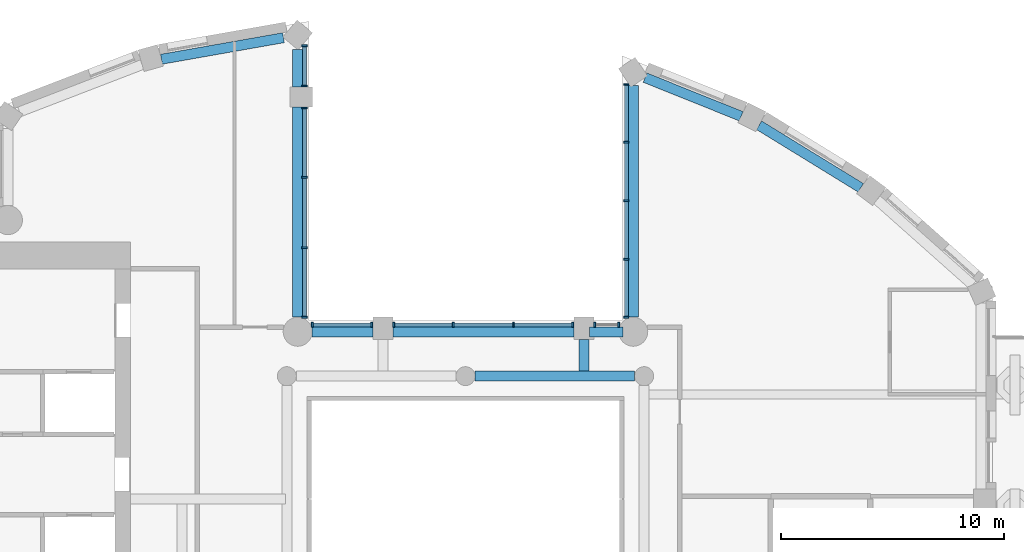
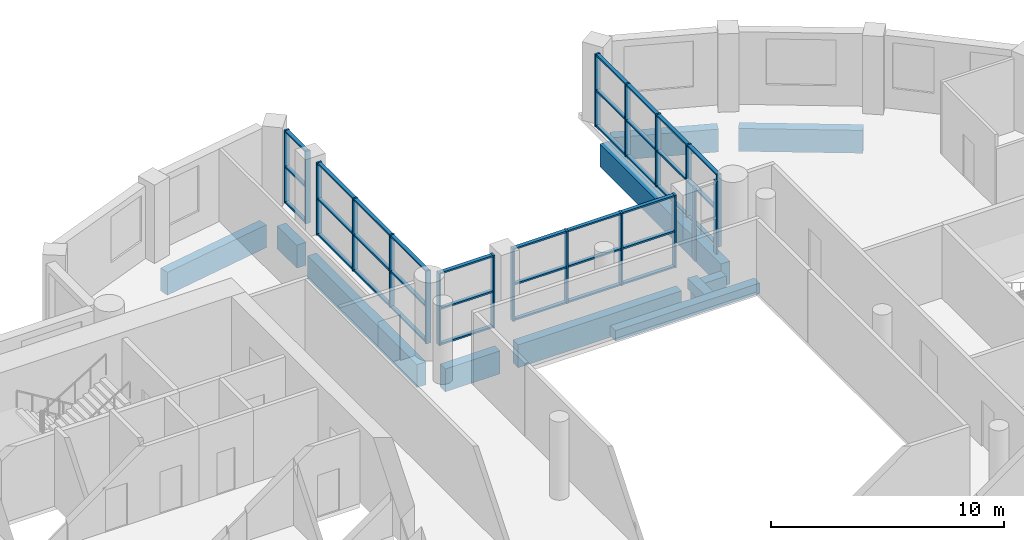
# One storey, part 2 of 14: 55 members, 11 beams, 6 elements without a shape of their own.
"""IFC4 building model written with IfcOpenShell, lengths in metres."""

import ifcopenshell
import ifcopenshell.guid

model = None  # the IFC model being written
_history = None  # IfcOwnerHistory: only IFC2X3 demands one
_inside = {}  # id of a spatial element -> (the spatial element, [elements in it])
_under = {}  # id of a project, library or spatial element -> (it, [spatial elements below it])
_declared = {}  # id of a project -> (the project, [libraries it declares])
_typed = {}  # id of a type object -> (the type object, [elements of that type])
_made_of = {}  # id of a material, layer set ... -> (it, [elements and type objects made of it])


def new_model(schema):
    """Start an empty IFC model of exactly this schema.

    Asked for "IFC4X3", IfcOpenShell would pick the latest addendum, in which some entities
    have other attributes; the version numbers below select the first issue.
    IFC2X3 requires an IfcOwnerHistory on every rooted entity: one is made here for all.
    """
    global model, _history
    if schema == "IFC4X3":
        model = ifcopenshell.file(schema_version=(4, 3, 0, 0))
    else:
        model = ifcopenshell.file(schema=schema)
    _inside.clear()
    _under.clear()
    _declared.clear()
    _typed.clear()
    _made_of.clear()
    _history = None
    if model.schema == "IFC2X3":
        org = make("IfcOrganization", Name="unknown")
        user = make(
            "IfcPersonAndOrganization",
            ThePerson=make("IfcPerson", FamilyName="unknown"),
            TheOrganization=org,
        )
        app = make(
            "IfcApplication",
            ApplicationDeveloper=org,
            Version="unknown",
            ApplicationFullName="unknown",
            ApplicationIdentifier="unknown",
        )
        _history = make(
            "IfcOwnerHistory",
            OwningUser=user,
            OwningApplication=app,
            ChangeAction="ADDED",
            CreationDate=0,
        )
    return model


def make(cls, **values):
    """One entity of the class cls with the attributes given. An attribute that is None is left unset."""
    return model.create_entity(
        cls, **{name: value for name, value in values.items() if value is not None}
    )


def rooted(cls, **values):
    """An entity with a GlobalId (a new one), such as an element, a storey or a relation."""
    return make(cls, GlobalId=ifcopenshell.guid.new(), OwnerHistory=_history, **values)


def si_unit(unit_type, name, prefix=None):
    """IfcSIUnit, for example si_unit("LENGTHUNIT", "METRE", prefix="MILLI")."""
    return make("IfcSIUnit", UnitType=unit_type, Prefix=prefix, Name=name)


def assignment(units):
    """IfcUnitAssignment: the units of a project."""
    return None if units is None else make("IfcUnitAssignment", Units=units)


def point(xyz):
    """IfcCartesianPoint."""
    return None if xyz is None else make("IfcCartesianPoint", Coordinates=xyz)


def direction(xyz):
    """IfcDirection."""
    return None if xyz is None else make("IfcDirection", DirectionRatios=xyz)


def frame(location, z_axis=None, x_axis=None):
    """IfcAxis2Placement3D, a coordinate frame: its origin and axes. An axis left out is left unset."""
    return make(
        "IfcAxis2Placement3D",
        Location=point(location),
        Axis=direction(z_axis),
        RefDirection=direction(x_axis),
    )


def frame_2d(location, x_axis=None):
    """IfcAxis2Placement2D, a coordinate frame in the plane: its origin and x axis."""
    return make(
        "IfcAxis2Placement2D", Location=point(location), RefDirection=direction(x_axis)
    )


def origin():
    """The frame at (0, 0, 0) with its axes left unset."""
    return frame((0.0, 0.0, 0.0))


def origin_2d():
    """The frame at (0, 0) in the plane with its x axis left unset."""
    return frame_2d((0.0, 0.0))


def place(relative_to, where):
    """IfcLocalPlacement: puts the frame where relative to a parent placement (None: the world)."""
    return make(
        "IfcLocalPlacement", PlacementRelTo=relative_to, RelativePlacement=where
    )


def context(
    kind, dimensions, precision=None, world=None, true_north=None, identifier=None
):
    """IfcGeometricRepresentationContext, for example the 3D "Model" context."""
    return make(
        "IfcGeometricRepresentationContext",
        ContextIdentifier=identifier,
        ContextType=kind,
        CoordinateSpaceDimension=dimensions,
        Precision=precision,
        WorldCoordinateSystem=world,
        TrueNorth=true_north,
    )


def subcontext(parent, identifier, kind, view, scale=None):
    """IfcGeometricRepresentationSubContext, for example "Body" below "Model"."""
    return make(
        "IfcGeometricRepresentationSubContext",
        ContextIdentifier=identifier,
        ContextType=kind,
        ParentContext=parent,
        TargetScale=scale,
        TargetView=view,
    )


def project(units=None, contexts=None):
    """IfcProject with its units and contexts."""
    return rooted(
        "IfcProject",
        Name="project",
        RepresentationContexts=contexts,
        UnitsInContext=assignment(units),
    )


def spatial(cls, under=None, at=None, **own):
    """A site, building, storey or space (cls), placed at a placement, below another one or the project."""
    s = rooted(cls, ObjectPlacement=at, **own)
    if under is not None:
        _under.setdefault(under.id(), (under, []))[1].append(s)
    return s


def profile(cls, at=None, kind="AREA", **sizes):
    """A parametric profile (cls). Its sizes go by their IFC names, for example OverallWidth=200.0."""
    return make(cls, ProfileType=kind, Position=at, **sizes)


def rectangle(**sizes):
    """IfcRectangleProfileDef."""
    return profile("IfcRectangleProfileDef", **sizes)


def extrude(swept, where, along, depth):
    """IfcExtrudedAreaSolid: the profile swept, set in the frame where, extruded along a direction by depth."""
    return make(
        "IfcExtrudedAreaSolid",
        SweptArea=swept,
        Position=where,
        ExtrudedDirection=direction(along),
        Depth=depth,
    )


def shape(context_of_items, identifier, shape_type, items):
    """IfcShapeRepresentation: the items that make up one representation, for example the "Body"."""
    return make(
        "IfcShapeRepresentation",
        ContextOfItems=context_of_items,
        RepresentationIdentifier=identifier,
        RepresentationType=shape_type,
        Items=items,
    )


def material(Name=None, Category=None):
    """IfcMaterial."""
    return make("IfcMaterial", Name=Name, Category=Category)


def material_profile(
    of_material, cross_section, Name=None, Category=None, Priority=None
):
    """IfcMaterialProfile: a cross section and its material."""
    return make(
        "IfcMaterialProfile",
        Name=Name,
        Material=of_material,
        Profile=cross_section,
        Priority=Priority,
        Category=Category,
    )


def profile_set(profiles, Name=None, composite=None):
    """IfcMaterialProfileSet."""
    return make(
        "IfcMaterialProfileSet",
        Name=Name,
        MaterialProfiles=profiles,
        CompositeProfile=composite,
    )


def made_of(thing, what):
    """Note that an element or type object is made of a material, layer set ...; save() writes the relation."""
    if what is not None:
        _made_of.setdefault(what.id(), (what, []))[1].append(thing)
    return thing


def type_object(cls, material=None, **own):
    """A type object (cls), such as IfcWallType, which elements share."""
    return made_of(rooted(cls, **own), material)


def element(
    cls,
    number,
    at=None,
    inside=None,
    cuts=None,
    type_object=None,
    material=None,
    context=None,
    identifier="Body",
    shape_type=None,
    held_by="IfcProductDefinitionShape",
    body=None,
    shapes=None,
    **own,
):
    """One element of the class cls, such as IfcWall. Its Tag is "e" and its number.

    at: its placement. inside: the storey or other place that contains it. cuts: it is an
    opening in that element (IfcRelVoidsElement). A single representation is given by context,
    identifier, shape_type and body (its items); several are given by shapes. held_by: the class
    of the entity that holds the representations. save() writes the other relations.
    """
    e = rooted(cls, Tag="e%d" % number, ObjectPlacement=at, **own)
    if body is not None:
        shapes = [shape(context, identifier, shape_type, body)]
    if shapes is not None:
        e.Representation = make(held_by, Representations=shapes)
    if inside is not None:
        _inside.setdefault(inside.id(), (inside, []))[1].append(e)
    if cuts is not None:
        rooted(
            "IfcRelVoidsElement", RelatingBuildingElement=cuts, RelatedOpeningElement=e
        )
    if type_object is not None:
        _typed.setdefault(type_object.id(), (type_object, []))[1].append(e)
    return made_of(e, material)


def aggregate(whole, parts):
    """IfcRelAggregates: a whole, such as a stair, and the parts it consists of."""
    return rooted("IfcRelAggregates", RelatingObject=whole, RelatedObjects=parts)


def save(model, path):
    """Write the relations noted so far, then the file.

    IfcRelAggregates (storeys below a building ...), IfcRelContainedInSpatialStructure (elements
    in a storey), IfcRelDefinesByType, IfcRelAssociatesMaterial and IfcRelDeclares: one each for
    every whole, place, type object, material and project.
    """
    for whole, parts in _under.values():
        aggregate(whole, parts)
    for where, things in _inside.values():
        rooted(
            "IfcRelContainedInSpatialStructure",
            RelatedElements=things,
            RelatingStructure=where,
        )
    for kind, things in _typed.values():
        rooted("IfcRelDefinesByType", RelatedObjects=things, RelatingType=kind)
    for what, things in _made_of.values():
        rooted("IfcRelAssociatesMaterial", RelatedObjects=things, RelatingMaterial=what)
    for by, libraries in _declared.values():
        rooted("IfcRelDeclares", RelatingContext=by, RelatedDefinitions=libraries)
    model.write(path)


model = new_model("IFC4")

# Units and contexts
model_context = context("Model", 3, precision=1e-05, world=origin(), true_north=direction((0.0, 1.0)))
body_context = subcontext(model_context, "Body", "Model", "MODEL_VIEW")
ifc_project = project(units=[si_unit("LENGTHUNIT", "METRE"), si_unit("AREAUNIT", "SQUARE_METRE"), si_unit("VOLUMEUNIT", "CUBIC_METRE"), si_unit("PLANEANGLEUNIT", "RADIAN"), si_unit("MASSUNIT", "GRAM", prefix="KILO")], contexts=[model_context])

# Site, building, storey
site_placement = place(None, origin())
site = spatial("IfcSite", under=ifc_project, at=site_placement, CompositionType="ELEMENT")
building_placement = place(site_placement, origin())
building = spatial("IfcBuilding", under=site, at=building_placement, Name="Cypress Arch Tower", CompositionType="ELEMENT")
storey_placement = place(building_placement, frame((0.0, 0.0, 300.800048828125)))
storey = spatial("IfcBuildingStorey", under=building, at=storey_placement, Name="L68", CompositionType="ELEMENT", Elevation=300.800048828125)

# Beams
ifc_material_1 = material(Name="Concrete C50/60", Category="concrete")
ifc_material_profile_1 = material_profile(ifc_material_1, rectangle(XDim=0.449951171875, YDim=0.550048828125, at=origin_2d()), Name="RC 450x550")
ifc_profile_set_1 = profile_set([ifc_material_profile_1], Name="Concrete C50/60")
beam_type_1 = type_object("IfcBeamType", Name="Floor beam RC 450x550 Concrete C50/60", PredefinedType="BEAM", material=ifc_profile_set_1)
beam_1_placement = place(storey_placement, frame((1.425048828125, 10.0, -0.574951171875), z_axis=(1.0, 0.0, 0.0), x_axis=(0.0, 1.0, 0.0)))
element("IfcBeam", 1, at=beam_1_placement, inside=storey, type_object=beam_type_1, Name="Floor beam L68 RB008", PredefinedType="BEAM", context=body_context, shape_type="SweptSolid", body=[
    extrude(rectangle(XDim=0.449951171875, YDim=0.550048828125, at=origin_2d()), origin(), (0.0, 0.0, 1.0), 7.14990234375),
])
beam_2_placement = place(storey_placement, frame((6.300048828125, 10.22509765625, -0.574951171875), z_axis=(0.0, 1.0, 0.0), x_axis=(-1.0, 0.0, 0.0)))
element("IfcBeam", 2, at=beam_2_placement, inside=storey, type_object=beam_type_1, Name="Floor beam L68 FB013", PredefinedType="BEAM", context=body_context, shape_type="SweptSolid", body=[
    extrude(rectangle(XDim=0.449951171875, YDim=0.550048828125, at=origin_2d()), origin(), (0.0, 0.0, 1.0), 1.4248046875),
])

# Curtain wall, members
ifc_material_2 = material(Name="Anodised aluminium, bronze finish, clear laminated double glazing", Category="aluminium")
curtain_wall_type = type_object("IfcCurtainWallType", Name="Curtain wall CW7 slot glazing", PredefinedType="NOTDEFINED", material=ifc_material_2)
curtain_wall_1_placement = place(storey_placement, origin())
curtain_wall_1 = element("IfcCurtainWall", 3, at=curtain_wall_1_placement, inside=storey, type_object=curtain_wall_type, Name="Curtain wall L68 slot C00.0", PredefinedType="NOTDEFINED")
ifc_material_3 = material(Name="Anodised aluminium, bronze finish", Category="aluminium")
ifc_material_profile_2 = material_profile(ifc_material_3, rectangle(XDim=0.239990234375, YDim=0.0849609375, at=origin_2d()), Name="Mullion 85x240")
ifc_profile_set_2 = profile_set([ifc_material_profile_2], Name="Anodised aluminium, bronze finish")
member_type_1 = type_object("IfcMemberType", Name="Mullion CW7 85x240", PredefinedType="MULLION", material=ifc_profile_set_2)
member_1_placement = place(storey_placement, frame((8.199951171875, 23.060302734375, 0.0), z_axis=(0.0, 0.0, 1.0), x_axis=(1.0, 0.0, 0.0)))
member_1 = element("IfcMember", 4, at=member_1_placement, type_object=member_type_1, Name="CW7 mullion 1", PredefinedType="MULLION", context=body_context, shape_type="SweptSolid", body=[
    extrude(rectangle(XDim=0.239990234375, YDim=0.0849609375, at=origin_2d()), origin(), (0.0, 0.0, 1.0), 3.800048828125),
])
member_2_placement = place(storey_placement, frame((8.199951171875, 20.477294921875, 0.0), z_axis=(0.0, 0.0, 1.0), x_axis=(1.0, 0.0, 0.0)))
member_2 = element("IfcMember", 5, at=member_2_placement, type_object=member_type_1, Name="CW7 mullion 2", PredefinedType="MULLION", context=body_context, shape_type="SweptSolid", body=[
    extrude(rectangle(XDim=0.239990234375, YDim=0.0849609375, at=origin_2d()), origin(), (0.0, 0.0, 1.0), 3.800048828125),
])
member_3_placement = place(storey_placement, frame((8.199951171875, 17.85205078125, 0.0), z_axis=(0.0, 0.0, 1.0), x_axis=(1.0, 0.0, 0.0)))
member_3 = element("IfcMember", 6, at=member_3_placement, type_object=member_type_1, Name="CW7 mullion 3", PredefinedType="MULLION", context=body_context, shape_type="SweptSolid", body=[
    extrude(rectangle(XDim=0.239990234375, YDim=0.0849609375, at=origin_2d()), origin(), (0.0, 0.0, 1.0), 3.800048828125),
])
member_4_placement = place(storey_placement, frame((8.199951171875, 15.226806640625, 0.0), z_axis=(0.0, 0.0, 1.0), x_axis=(1.0, 0.0, 0.0)))
member_4 = element("IfcMember", 7, at=member_4_placement, type_object=member_type_1, Name="CW7 mullion 4", PredefinedType="MULLION", context=body_context, shape_type="SweptSolid", body=[
    extrude(rectangle(XDim=0.239990234375, YDim=0.0849609375, at=origin_2d()), origin(), (0.0, 0.0, 1.0), 3.800048828125),
])
member_5_placement = place(storey_placement, frame((8.199951171875, 12.64404296875, 0.0), z_axis=(0.0, 0.0, 1.0), x_axis=(1.0, 0.0, 0.0)))
member_5 = element("IfcMember", 8, at=member_5_placement, type_object=member_type_1, Name="CW7 mullion 5", PredefinedType="MULLION", context=body_context, shape_type="SweptSolid", body=[
    extrude(rectangle(XDim=0.239990234375, YDim=0.0849609375, at=origin_2d()), origin(), (0.0, 0.0, 1.0), 3.800048828125),
])

curtain_wall_2_placement = place(storey_placement, origin())
curtain_wall_2 = element("IfcCurtainWall", 9, at=curtain_wall_2_placement, inside=storey, type_object=curtain_wall_type, Name="Curtain wall L68 slot C01.0", PredefinedType="NOTDEFINED")
member_6_placement = place(storey_placement, frame((7.85595703125, 12.300048828125, 0.0), z_axis=(0.0, 0.0, 1.0), x_axis=(0.0, -1.0, 0.0)))
member_6 = element("IfcMember", 10, at=member_6_placement, type_object=member_type_1, Name="CW7 mullion 1", PredefinedType="MULLION", context=body_context, shape_type="SweptSolid", body=[
    extrude(rectangle(XDim=0.239990234375, YDim=0.0849609375, at=origin_2d()), origin(), (0.0, 0.0, 1.0), 3.800048828125),
])
member_7_placement = place(storey_placement, frame((6.79248046875, 12.300048828125, 0.0), z_axis=(0.0, 0.0, 1.0), x_axis=(0.0, -1.0, 0.0)))
member_7 = element("IfcMember", 11, at=member_7_placement, type_object=member_type_1, Name="CW7 mullion 2", PredefinedType="MULLION", context=body_context, shape_type="SweptSolid", body=[
    extrude(rectangle(XDim=0.239990234375, YDim=0.0849609375, at=origin_2d()), origin(), (0.0, 0.0, 1.0), 3.800048828125),
])
aggregate(curtain_wall_2, [member_6, member_7])

curtain_wall_3_placement = place(storey_placement, origin())
curtain_wall_3 = element("IfcCurtainWall", 12, at=curtain_wall_3_placement, inside=storey, type_object=curtain_wall_type, Name="Curtain wall L68 slot C01.1", PredefinedType="NOTDEFINED")
member_8_placement = place(storey_placement, frame((5.8076171875, 12.300048828125, 0.0), z_axis=(0.0, 0.0, 1.0), x_axis=(0.0, -1.0, 0.0)))
member_8 = element("IfcMember", 13, at=member_8_placement, type_object=member_type_1, Name="CW7 mullion 1", PredefinedType="MULLION", context=body_context, shape_type="SweptSolid", body=[
    extrude(rectangle(XDim=0.239990234375, YDim=0.0849609375, at=origin_2d()), origin(), (0.0, 0.0, 1.0), 3.800048828125),
])
member_9_placement = place(storey_placement, frame((3.14990234375, 12.300048828125, 0.0), z_axis=(0.0, 0.0, 1.0), x_axis=(0.0, -1.0, 0.0)))
member_9 = element("IfcMember", 14, at=member_9_placement, type_object=member_type_1, Name="CW7 mullion 2", PredefinedType="MULLION", context=body_context, shape_type="SweptSolid", body=[
    extrude(rectangle(XDim=0.239990234375, YDim=0.0849609375, at=origin_2d()), origin(), (0.0, 0.0, 1.0), 3.800048828125),
])
member_10_placement = place(storey_placement, frame((0.449951171875, 12.300048828125, 0.0), z_axis=(0.0, 0.0, 1.0), x_axis=(0.0, -1.0, 0.0)))
member_10 = element("IfcMember", 15, at=member_10_placement, type_object=member_type_1, Name="CW7 mullion 3", PredefinedType="MULLION", context=body_context, shape_type="SweptSolid", body=[
    extrude(rectangle(XDim=0.239990234375, YDim=0.0849609375, at=origin_2d()), origin(), (0.0, 0.0, 1.0), 3.800048828125),
])
member_11_placement = place(storey_placement, frame((-2.20751953125, 12.300048828125, 0.0), z_axis=(0.0, 0.0, 1.0), x_axis=(0.0, -1.0, 0.0)))
member_11 = element("IfcMember", 16, at=member_11_placement, type_object=member_type_1, Name="CW7 mullion 4", PredefinedType="MULLION", context=body_context, shape_type="SweptSolid", body=[
    extrude(rectangle(XDim=0.239990234375, YDim=0.0849609375, at=origin_2d()), origin(), (0.0, 0.0, 1.0), 3.800048828125),
])

curtain_wall_4_placement = place(storey_placement, origin())
curtain_wall_4 = element("IfcCurtainWall", 17, at=curtain_wall_4_placement, inside=storey, type_object=curtain_wall_type, Name="Curtain wall L68 slot C01.2", PredefinedType="NOTDEFINED")
member_12_placement = place(storey_placement, frame((-3.1923828125, 12.300048828125, 0.0), z_axis=(0.0, 0.0, 1.0), x_axis=(0.0, -1.0, 0.0)))
member_12 = element("IfcMember", 18, at=member_12_placement, type_object=member_type_1, Name="CW7 mullion 1", PredefinedType="MULLION", context=body_context, shape_type="SweptSolid", body=[
    extrude(rectangle(XDim=0.239990234375, YDim=0.0849609375, at=origin_2d()), origin(), (0.0, 0.0, 1.0), 3.800048828125),
])
member_13_placement = place(storey_placement, frame((-5.85595703125, 12.300048828125, 0.0), z_axis=(0.0, 0.0, 1.0), x_axis=(0.0, -1.0, 0.0)))
member_13 = element("IfcMember", 19, at=member_13_placement, type_object=member_type_1, Name="CW7 mullion 2", PredefinedType="MULLION", context=body_context, shape_type="SweptSolid", body=[
    extrude(rectangle(XDim=0.239990234375, YDim=0.0849609375, at=origin_2d()), origin(), (0.0, 0.0, 1.0), 3.800048828125),
])

curtain_wall_5_placement = place(storey_placement, origin())
curtain_wall_5 = element("IfcCurtainWall", 20, at=curtain_wall_5_placement, inside=storey, type_object=curtain_wall_type, Name="Curtain wall L68 slot C02.0", PredefinedType="NOTDEFINED")
member_14_placement = place(storey_placement, frame((-6.199951171875, 12.64404296875, 0.0), z_axis=(0.0, 0.0, 1.0), x_axis=(-1.0, 0.0, 0.0)))
member_14 = element("IfcMember", 21, at=member_14_placement, type_object=member_type_1, Name="CW7 mullion 1", PredefinedType="MULLION", context=body_context, shape_type="SweptSolid", body=[
    extrude(rectangle(XDim=0.239990234375, YDim=0.0849609375, at=origin_2d()), origin(), (0.0, 0.0, 1.0), 3.800048828125),
])
member_15_placement = place(storey_placement, frame((-6.199951171875, 15.7509765625, 0.0), z_axis=(0.0, 0.0, 1.0), x_axis=(-1.0, 0.0, 0.0)))
member_15 = element("IfcMember", 22, at=member_15_placement, type_object=member_type_1, Name="CW7 mullion 2", PredefinedType="MULLION", context=body_context, shape_type="SweptSolid", body=[
    extrude(rectangle(XDim=0.239990234375, YDim=0.0849609375, at=origin_2d()), origin(), (0.0, 0.0, 1.0), 3.800048828125),
])
member_16_placement = place(storey_placement, frame((-6.199951171875, 18.900390625, 0.0), z_axis=(0.0, 0.0, 1.0), x_axis=(-1.0, 0.0, 0.0)))
member_16 = element("IfcMember", 23, at=member_16_placement, type_object=member_type_1, Name="CW7 mullion 3", PredefinedType="MULLION", context=body_context, shape_type="SweptSolid", body=[
    extrude(rectangle(XDim=0.239990234375, YDim=0.0849609375, at=origin_2d()), origin(), (0.0, 0.0, 1.0), 3.800048828125),
])
member_17_placement = place(storey_placement, frame((-6.199951171875, 22.007568359375, 0.0), z_axis=(0.0, 0.0, 1.0), x_axis=(-1.0, 0.0, 0.0)))
member_17 = element("IfcMember", 24, at=member_17_placement, type_object=member_type_1, Name="CW7 mullion 4", PredefinedType="MULLION", context=body_context, shape_type="SweptSolid", body=[
    extrude(rectangle(XDim=0.239990234375, YDim=0.0849609375, at=origin_2d()), origin(), (0.0, 0.0, 1.0), 3.800048828125),
])

curtain_wall_6_placement = place(storey_placement, origin())
curtain_wall_6 = element("IfcCurtainWall", 25, at=curtain_wall_6_placement, inside=storey, type_object=curtain_wall_type, Name="Curtain wall L68 slot C02.1", PredefinedType="NOTDEFINED")
member_18_placement = place(storey_placement, frame((-6.199951171875, 22.992431640625, 0.0), z_axis=(0.0, 0.0, 1.0), x_axis=(-1.0, 0.0, 0.0)))
member_18 = element("IfcMember", 26, at=member_18_placement, type_object=member_type_1, Name="CW7 mullion 1", PredefinedType="MULLION", context=body_context, shape_type="SweptSolid", body=[
    extrude(rectangle(XDim=0.239990234375, YDim=0.0849609375, at=origin_2d()), origin(), (0.0, 0.0, 1.0), 3.800048828125),
])
member_19_placement = place(storey_placement, frame((-6.199951171875, 24.789794921875, 0.0), z_axis=(0.0, 0.0, 1.0), x_axis=(-1.0, 0.0, 0.0)))
member_19 = element("IfcMember", 27, at=member_19_placement, type_object=member_type_1, Name="CW7 mullion 2", PredefinedType="MULLION", context=body_context, shape_type="SweptSolid", body=[
    extrude(rectangle(XDim=0.239990234375, YDim=0.0849609375, at=origin_2d()), origin(), (0.0, 0.0, 1.0), 3.800048828125),
])

# Beams
ifc_material_4 = material(Name="Concrete C50/60", Category="concrete")
ifc_material_profile_3 = material_profile(ifc_material_4, rectangle(XDim=0.449951171875, YDim=1.199951171875, at=origin_2d()), Name="RC 450x1200")
ifc_profile_set_3 = profile_set([ifc_material_profile_3], Name="Concrete C50/60")
beam_type_2 = type_object("IfcBeamType", Name="Spandrel beam RC 450x1200 Concrete C50/60", PredefinedType="SPANDREL", material=ifc_profile_set_3)
beam_3_placement = place(storey_placement, frame((8.52490234375, 23.017578125, -1.550048828125), z_axis=(0.0, -1.0, 0.0), x_axis=(1.0, 0.0, 0.0)))
element("IfcBeam", 28, at=beam_3_placement, inside=storey, type_object=beam_type_2, Name="Spandrel beam L68 BC00-0", PredefinedType="SPANDREL", context=body_context, shape_type="SweptSolid", body=[
    extrude(rectangle(XDim=0.449951171875, YDim=1.199951171875, at=origin_2d()), origin(), (0.0, 0.0, 1.0), 10.380126953125),
])
beam_4_placement = place(storey_placement, frame((8.05615234375, 11.97509765625, -1.550048828125), z_axis=(-1.0, 0.0, 0.0), x_axis=(0.0, -1.0, 0.0)))
element("IfcBeam", 29, at=beam_4_placement, inside=storey, type_object=beam_type_2, Name="Spandrel beam L68 BC01-0", PredefinedType="SPANDREL", context=body_context, shape_type="SweptSolid", body=[
    extrude(rectangle(XDim=0.449951171875, YDim=1.199951171875, at=origin_2d()), origin(), (0.0, 0.0, 1.0), 1.5),
])
beam_5_placement = place(storey_placement, frame((5.85009765625, 11.97509765625, -1.550048828125), z_axis=(-1.0, 0.0, 0.0), x_axis=(0.0, -1.0, 0.0)))
element("IfcBeam", 30, at=beam_5_placement, inside=storey, type_object=beam_type_2, Name="Spandrel beam L68 BC01-1", PredefinedType="SPANDREL", context=body_context, shape_type="SweptSolid", body=[
    extrude(rectangle(XDim=0.449951171875, YDim=1.199951171875, at=origin_2d()), origin(), (0.0, 0.0, 1.0), 8.10009765625),
])
beam_6_placement = place(storey_placement, frame((-3.14990234375, 11.97509765625, -1.550048828125), z_axis=(-1.0, 0.0, 0.0), x_axis=(0.0, -1.0, 0.0)))
element("IfcBeam", 31, at=beam_6_placement, inside=storey, type_object=beam_type_2, Name="Spandrel beam L68 BC01-2", PredefinedType="SPANDREL", context=body_context, shape_type="SweptSolid", body=[
    extrude(rectangle(XDim=0.449951171875, YDim=1.199951171875, at=origin_2d()), origin(), (0.0, 0.0, 1.0), 2.712646484375),
])
beam_7_placement = place(storey_placement, frame((-6.52490234375, 12.637451171875, -1.550048828125), z_axis=(0.0, 1.0, 0.0), x_axis=(-1.0, 0.0, 0.0)))
element("IfcBeam", 32, at=beam_7_placement, inside=storey, type_object=beam_type_2, Name="Spandrel beam L68 BC02-0", PredefinedType="SPANDREL", context=body_context, shape_type="SweptSolid", body=[
    extrude(rectangle(XDim=0.449951171875, YDim=1.199951171875, at=origin_2d()), origin(), (0.0, 0.0, 1.0), 9.41259765625),
])
beam_8_placement = place(storey_placement, frame((-6.52490234375, 22.949951171875, -1.550048828125), z_axis=(0.0, 1.0, 0.0), x_axis=(-1.0, 0.0, 0.0)))
element("IfcBeam", 33, at=beam_8_placement, inside=storey, type_object=beam_type_2, Name="Spandrel beam L68 BC02-1", PredefinedType="SPANDREL", context=body_context, shape_type="SweptSolid", body=[
    extrude(rectangle(XDim=0.449951171875, YDim=1.199951171875, at=origin_2d()), origin(), (0.0, 0.0, 1.0), 1.6796875),
])
beam_9_placement = place(storey_placement, frame((-7.14990234375, 25.154052734375, -1.550048828125), z_axis=(-0.984800388539, -0.173689938494, 0.0), x_axis=(0.173689938494, -0.984800388539, 0.0)))
element("IfcBeam", 34, at=beam_9_placement, inside=storey, type_object=beam_type_2, Name="Spandrel beam L68 BC03-0", PredefinedType="SPANDREL", context=body_context, shape_type="SweptSolid", body=[
    extrude(rectangle(XDim=0.449951171875, YDim=1.199951171875, at=origin_2d()), origin(), (0.0, 0.0, 1.0), 5.5478515625),
])
beam_10_placement = place(storey_placement, frame((18.700927734375, 18.43359375, -1.550048828125), z_axis=(-0.851880940975, 0.523735488966, 0.0), x_axis=(-0.523735488966, -0.851880940975, 0.0)))
element("IfcBeam", 35, at=beam_10_placement, inside=storey, type_object=beam_type_2, Name="Spandrel beam L68 BC19-0", PredefinedType="SPANDREL", context=body_context, shape_type="SweptSolid", body=[
    extrude(rectangle(XDim=0.449951171875, YDim=1.199951171875, at=origin_2d()), origin(), (0.0, 0.0, 1.0), 5.344970703125),
])
beam_11_placement = place(storey_placement, frame((13.343994140625, 21.6376953125, -1.550048828125), z_axis=(-0.92793836678, 0.372733668263, 0.0), x_axis=(-0.372733668263, -0.92793836678, 0.0)))
element("IfcBeam", 36, at=beam_11_placement, inside=storey, type_object=beam_type_2, Name="Spandrel beam L68 BC20-0", PredefinedType="SPANDREL", context=body_context, shape_type="SweptSolid", body=[
    extrude(rectangle(XDim=0.449951171875, YDim=1.199951171875, at=origin_2d()), origin(), (0.0, 0.0, 1.0), 4.637451171875),
])

# Member
ifc_material_5 = material(Name="Anodised aluminium, bronze finish", Category="aluminium")
ifc_material_profile_4 = material_profile(ifc_material_5, rectangle(XDim=0.179931640625, YDim=0.0849609375, at=origin_2d()), Name="Transom 85x180")
ifc_profile_set_4 = profile_set([ifc_material_profile_4], Name="Anodised aluminium, bronze finish")
member_type_2 = type_object("IfcMemberType", Name="Transom CW7 85x180", PredefinedType="USERDEFINED", material=ifc_profile_set_4)
member_20_placement = place(storey_placement, frame((8.199951171875, 23.017578125, 0.04248046875), z_axis=(0.0, -1.0, 0.0), x_axis=(1.0, 0.0, 0.0)))
member_20 = element("IfcMember", 37, at=member_20_placement, type_object=member_type_2, Name="CW7 transom 1.1", ObjectType="TRANSOM", PredefinedType="USERDEFINED", context=body_context, shape_type="SweptSolid", body=[
    extrude(rectangle(XDim=0.179931640625, YDim=0.0849609375, at=origin_2d()), origin(), (0.0, 0.0, 1.0), 2.497802734375),
])

member_21_placement = place(storey_placement, frame((8.199951171875, 23.017578125, 1.89990234375), z_axis=(0.0, -1.0, 0.0), x_axis=(1.0, 0.0, 0.0)))
member_21 = element("IfcMember", 38, at=member_21_placement, type_object=member_type_2, Name="CW7 transom 1.2", ObjectType="TRANSOM", PredefinedType="USERDEFINED", context=body_context, shape_type="SweptSolid", body=[
    extrude(rectangle(XDim=0.179931640625, YDim=0.0849609375, at=origin_2d()), origin(), (0.0, 0.0, 1.0), 2.497802734375),
])

member_22_placement = place(storey_placement, frame((8.199951171875, 23.017578125, 3.757568359375), z_axis=(0.0, -1.0, 0.0), x_axis=(1.0, 0.0, 0.0)))
member_22 = element("IfcMember", 39, at=member_22_placement, type_object=member_type_2, Name="CW7 transom 1.3", ObjectType="TRANSOM", PredefinedType="USERDEFINED", context=body_context, shape_type="SweptSolid", body=[
    extrude(rectangle(XDim=0.179931640625, YDim=0.0849609375, at=origin_2d()), origin(), (0.0, 0.0, 1.0), 2.497802734375),
])

member_23_placement = place(storey_placement, frame((8.199951171875, 20.434814453125, 0.04248046875), z_axis=(0.0, -1.0, 0.0), x_axis=(1.0, 0.0, 0.0)))
member_23 = element("IfcMember", 40, at=member_23_placement, type_object=member_type_2, Name="CW7 transom 2.1", ObjectType="TRANSOM", PredefinedType="USERDEFINED", context=body_context, shape_type="SweptSolid", body=[
    extrude(rectangle(XDim=0.179931640625, YDim=0.0849609375, at=origin_2d()), origin(), (0.0, 0.0, 1.0), 2.540283203125),
])

member_24_placement = place(storey_placement, frame((8.199951171875, 20.434814453125, 1.89990234375), z_axis=(0.0, -1.0, 0.0), x_axis=(1.0, 0.0, 0.0)))
member_24 = element("IfcMember", 41, at=member_24_placement, type_object=member_type_2, Name="CW7 transom 2.2", ObjectType="TRANSOM", PredefinedType="USERDEFINED", context=body_context, shape_type="SweptSolid", body=[
    extrude(rectangle(XDim=0.179931640625, YDim=0.0849609375, at=origin_2d()), origin(), (0.0, 0.0, 1.0), 2.540283203125),
])

member_25_placement = place(storey_placement, frame((8.199951171875, 20.434814453125, 3.757568359375), z_axis=(0.0, -1.0, 0.0), x_axis=(1.0, 0.0, 0.0)))
member_25 = element("IfcMember", 42, at=member_25_placement, type_object=member_type_2, Name="CW7 transom 2.3", ObjectType="TRANSOM", PredefinedType="USERDEFINED", context=body_context, shape_type="SweptSolid", body=[
    extrude(rectangle(XDim=0.179931640625, YDim=0.0849609375, at=origin_2d()), origin(), (0.0, 0.0, 1.0), 2.540283203125),
])

member_26_placement = place(storey_placement, frame((8.199951171875, 17.8095703125, 0.04248046875), z_axis=(0.0, -1.0, 0.0), x_axis=(1.0, 0.0, 0.0)))
member_26 = element("IfcMember", 43, at=member_26_placement, type_object=member_type_2, Name="CW7 transom 3.1", ObjectType="TRANSOM", PredefinedType="USERDEFINED", context=body_context, shape_type="SweptSolid", body=[
    extrude(rectangle(XDim=0.179931640625, YDim=0.0849609375, at=origin_2d()), origin(), (0.0, 0.0, 1.0), 2.540283203125),
])

member_27_placement = place(storey_placement, frame((8.199951171875, 17.8095703125, 1.89990234375), z_axis=(0.0, -1.0, 0.0), x_axis=(1.0, 0.0, 0.0)))
member_27 = element("IfcMember", 44, at=member_27_placement, type_object=member_type_2, Name="CW7 transom 3.2", ObjectType="TRANSOM", PredefinedType="USERDEFINED", context=body_context, shape_type="SweptSolid", body=[
    extrude(rectangle(XDim=0.179931640625, YDim=0.0849609375, at=origin_2d()), origin(), (0.0, 0.0, 1.0), 2.540283203125),
])

member_28_placement = place(storey_placement, frame((8.199951171875, 17.8095703125, 3.757568359375), z_axis=(0.0, -1.0, 0.0), x_axis=(1.0, 0.0, 0.0)))
member_28 = element("IfcMember", 45, at=member_28_placement, type_object=member_type_2, Name="CW7 transom 3.3", ObjectType="TRANSOM", PredefinedType="USERDEFINED", context=body_context, shape_type="SweptSolid", body=[
    extrude(rectangle(XDim=0.179931640625, YDim=0.0849609375, at=origin_2d()), origin(), (0.0, 0.0, 1.0), 2.540283203125),
])

member_29_placement = place(storey_placement, frame((8.199951171875, 15.184326171875, 0.04248046875), z_axis=(0.0, -1.0, 0.0), x_axis=(1.0, 0.0, 0.0)))
member_29 = element("IfcMember", 46, at=member_29_placement, type_object=member_type_2, Name="CW7 transom 4.1", ObjectType="TRANSOM", PredefinedType="USERDEFINED", context=body_context, shape_type="SweptSolid", body=[
    extrude(rectangle(XDim=0.179931640625, YDim=0.0849609375, at=origin_2d()), origin(), (0.0, 0.0, 1.0), 2.497802734375),
])

member_30_placement = place(storey_placement, frame((8.199951171875, 15.184326171875, 1.89990234375), z_axis=(0.0, -1.0, 0.0), x_axis=(1.0, 0.0, 0.0)))
member_30 = element("IfcMember", 47, at=member_30_placement, type_object=member_type_2, Name="CW7 transom 4.2", ObjectType="TRANSOM", PredefinedType="USERDEFINED", context=body_context, shape_type="SweptSolid", body=[
    extrude(rectangle(XDim=0.179931640625, YDim=0.0849609375, at=origin_2d()), origin(), (0.0, 0.0, 1.0), 2.497802734375),
])

member_31_placement = place(storey_placement, frame((8.199951171875, 15.184326171875, 3.757568359375), z_axis=(0.0, -1.0, 0.0), x_axis=(1.0, 0.0, 0.0)))
member_31 = element("IfcMember", 48, at=member_31_placement, type_object=member_type_2, Name="CW7 transom 4.3", ObjectType="TRANSOM", PredefinedType="USERDEFINED", context=body_context, shape_type="SweptSolid", body=[
    extrude(rectangle(XDim=0.179931640625, YDim=0.0849609375, at=origin_2d()), origin(), (0.0, 0.0, 1.0), 2.497802734375),
])

aggregate(curtain_wall_1, [member_1, member_2, member_3, member_4, member_5, member_20, member_21, member_22, member_23, member_24, member_25, member_26, member_27, member_28, member_29, member_30, member_31])

member_32_placement = place(storey_placement, frame((5.764892578125, 12.300048828125, 0.04248046875), z_axis=(-1.0, 0.0, 0.0), x_axis=(0.0, -1.0, 0.0)))
member_32 = element("IfcMember", 49, at=member_32_placement, type_object=member_type_2, Name="CW7 transom 1.1", ObjectType="TRANSOM", PredefinedType="USERDEFINED", context=body_context, shape_type="SweptSolid", body=[
    extrude(rectangle(XDim=0.179931640625, YDim=0.0849609375, at=origin_2d()), origin(), (0.0, 0.0, 1.0), 2.572509765625),
])

member_33_placement = place(storey_placement, frame((5.764892578125, 12.300048828125, 1.89990234375), z_axis=(-1.0, 0.0, 0.0), x_axis=(0.0, -1.0, 0.0)))
member_33 = element("IfcMember", 50, at=member_33_placement, type_object=member_type_2, Name="CW7 transom 1.2", ObjectType="TRANSOM", PredefinedType="USERDEFINED", context=body_context, shape_type="SweptSolid", body=[
    extrude(rectangle(XDim=0.179931640625, YDim=0.0849609375, at=origin_2d()), origin(), (0.0, 0.0, 1.0), 2.572509765625),
])

member_34_placement = place(storey_placement, frame((5.764892578125, 12.300048828125, 3.757568359375), z_axis=(-1.0, 0.0, 0.0), x_axis=(0.0, -1.0, 0.0)))
member_34 = element("IfcMember", 51, at=member_34_placement, type_object=member_type_2, Name="CW7 transom 1.3", ObjectType="TRANSOM", PredefinedType="USERDEFINED", context=body_context, shape_type="SweptSolid", body=[
    extrude(rectangle(XDim=0.179931640625, YDim=0.0849609375, at=origin_2d()), origin(), (0.0, 0.0, 1.0), 2.572509765625),
])

member_35_placement = place(storey_placement, frame((3.107421875, 12.300048828125, 0.04248046875), z_axis=(-1.0, 0.0, 0.0), x_axis=(0.0, -1.0, 0.0)))
member_35 = element("IfcMember", 52, at=member_35_placement, type_object=member_type_2, Name="CW7 transom 2.1", ObjectType="TRANSOM", PredefinedType="USERDEFINED", context=body_context, shape_type="SweptSolid", body=[
    extrude(rectangle(XDim=0.179931640625, YDim=0.0849609375, at=origin_2d()), origin(), (0.0, 0.0, 1.0), 2.614990234375),
])

member_36_placement = place(storey_placement, frame((3.107421875, 12.300048828125, 1.89990234375), z_axis=(-1.0, 0.0, 0.0), x_axis=(0.0, -1.0, 0.0)))
member_36 = element("IfcMember", 53, at=member_36_placement, type_object=member_type_2, Name="CW7 transom 2.2", ObjectType="TRANSOM", PredefinedType="USERDEFINED", context=body_context, shape_type="SweptSolid", body=[
    extrude(rectangle(XDim=0.179931640625, YDim=0.0849609375, at=origin_2d()), origin(), (0.0, 0.0, 1.0), 2.614990234375),
])

member_37_placement = place(storey_placement, frame((3.107421875, 12.300048828125, 3.757568359375), z_axis=(-1.0, 0.0, 0.0), x_axis=(0.0, -1.0, 0.0)))
member_37 = element("IfcMember", 54, at=member_37_placement, type_object=member_type_2, Name="CW7 transom 2.3", ObjectType="TRANSOM", PredefinedType="USERDEFINED", context=body_context, shape_type="SweptSolid", body=[
    extrude(rectangle(XDim=0.179931640625, YDim=0.0849609375, at=origin_2d()), origin(), (0.0, 0.0, 1.0), 2.614990234375),
])

member_38_placement = place(storey_placement, frame((0.407470703125, 12.300048828125, 0.04248046875), z_axis=(-1.0, 0.0, 0.0), x_axis=(0.0, -1.0, 0.0)))
member_38 = element("IfcMember", 55, at=member_38_placement, type_object=member_type_2, Name="CW7 transom 3.1", ObjectType="TRANSOM", PredefinedType="USERDEFINED", context=body_context, shape_type="SweptSolid", body=[
    extrude(rectangle(XDim=0.179931640625, YDim=0.0849609375, at=origin_2d()), origin(), (0.0, 0.0, 1.0), 2.572509765625),
])

member_39_placement = place(storey_placement, frame((0.407470703125, 12.300048828125, 1.89990234375), z_axis=(-1.0, 0.0, 0.0), x_axis=(0.0, -1.0, 0.0)))
member_39 = element("IfcMember", 56, at=member_39_placement, type_object=member_type_2, Name="CW7 transom 3.2", ObjectType="TRANSOM", PredefinedType="USERDEFINED", context=body_context, shape_type="SweptSolid", body=[
    extrude(rectangle(XDim=0.179931640625, YDim=0.0849609375, at=origin_2d()), origin(), (0.0, 0.0, 1.0), 2.572509765625),
])

member_40_placement = place(storey_placement, frame((0.407470703125, 12.300048828125, 3.757568359375), z_axis=(-1.0, 0.0, 0.0), x_axis=(0.0, -1.0, 0.0)))
member_40 = element("IfcMember", 57, at=member_40_placement, type_object=member_type_2, Name="CW7 transom 3.3", ObjectType="TRANSOM", PredefinedType="USERDEFINED", context=body_context, shape_type="SweptSolid", body=[
    extrude(rectangle(XDim=0.179931640625, YDim=0.0849609375, at=origin_2d()), origin(), (0.0, 0.0, 1.0), 2.572509765625),
])

aggregate(curtain_wall_3, [member_8, member_9, member_10, member_11, member_32, member_33, member_34, member_35, member_36, member_37, member_38, member_39, member_40])

member_41_placement = place(storey_placement, frame((-3.235107421875, 12.300048828125, 0.04248046875), z_axis=(-1.0, 0.0, 0.0), x_axis=(0.0, -1.0, 0.0)))
member_41 = element("IfcMember", 58, at=member_41_placement, type_object=member_type_2, Name="CW7 transom 1.1", ObjectType="TRANSOM", PredefinedType="USERDEFINED", context=body_context, shape_type="SweptSolid", body=[
    extrude(rectangle(XDim=0.179931640625, YDim=0.0849609375, at=origin_2d()), origin(), (0.0, 0.0, 1.0), 2.578369140625),
])

member_42_placement = place(storey_placement, frame((-3.235107421875, 12.300048828125, 1.89990234375), z_axis=(-1.0, 0.0, 0.0), x_axis=(0.0, -1.0, 0.0)))
member_42 = element("IfcMember", 59, at=member_42_placement, type_object=member_type_2, Name="CW7 transom 1.2", ObjectType="TRANSOM", PredefinedType="USERDEFINED", context=body_context, shape_type="SweptSolid", body=[
    extrude(rectangle(XDim=0.179931640625, YDim=0.0849609375, at=origin_2d()), origin(), (0.0, 0.0, 1.0), 2.578369140625),
])

member_43_placement = place(storey_placement, frame((-3.235107421875, 12.300048828125, 3.757568359375), z_axis=(-1.0, 0.0, 0.0), x_axis=(0.0, -1.0, 0.0)))
member_43 = element("IfcMember", 60, at=member_43_placement, type_object=member_type_2, Name="CW7 transom 1.3", ObjectType="TRANSOM", PredefinedType="USERDEFINED", context=body_context, shape_type="SweptSolid", body=[
    extrude(rectangle(XDim=0.179931640625, YDim=0.0849609375, at=origin_2d()), origin(), (0.0, 0.0, 1.0), 2.578369140625),
])

aggregate(curtain_wall_4, [member_12, member_13, member_41, member_42, member_43])

member_44_placement = place(storey_placement, frame((-6.199951171875, 12.6865234375, 0.04248046875), z_axis=(0.0, 1.0, 0.0), x_axis=(-1.0, 0.0, 0.0)))
member_44 = element("IfcMember", 61, at=member_44_placement, type_object=member_type_2, Name="CW7 transom 1.1", ObjectType="TRANSOM", PredefinedType="USERDEFINED", context=body_context, shape_type="SweptSolid", body=[
    extrude(rectangle(XDim=0.179931640625, YDim=0.0849609375, at=origin_2d()), origin(), (0.0, 0.0, 1.0), 3.02197265625),
])

member_45_placement = place(storey_placement, frame((-6.199951171875, 12.6865234375, 1.89990234375), z_axis=(0.0, 1.0, 0.0), x_axis=(-1.0, 0.0, 0.0)))
member_45 = element("IfcMember", 62, at=member_45_placement, type_object=member_type_2, Name="CW7 transom 1.2", ObjectType="TRANSOM", PredefinedType="USERDEFINED", context=body_context, shape_type="SweptSolid", body=[
    extrude(rectangle(XDim=0.179931640625, YDim=0.0849609375, at=origin_2d()), origin(), (0.0, 0.0, 1.0), 3.02197265625),
])

member_46_placement = place(storey_placement, frame((-6.199951171875, 12.6865234375, 3.757568359375), z_axis=(0.0, 1.0, 0.0), x_axis=(-1.0, 0.0, 0.0)))
member_46 = element("IfcMember", 63, at=member_46_placement, type_object=member_type_2, Name="CW7 transom 1.3", ObjectType="TRANSOM", PredefinedType="USERDEFINED", context=body_context, shape_type="SweptSolid", body=[
    extrude(rectangle(XDim=0.179931640625, YDim=0.0849609375, at=origin_2d()), origin(), (0.0, 0.0, 1.0), 3.02197265625),
])

member_47_placement = place(storey_placement, frame((-6.199951171875, 15.79345703125, 0.04248046875), z_axis=(0.0, 1.0, 0.0), x_axis=(-1.0, 0.0, 0.0)))
member_47 = element("IfcMember", 64, at=member_47_placement, type_object=member_type_2, Name="CW7 transom 2.1", ObjectType="TRANSOM", PredefinedType="USERDEFINED", context=body_context, shape_type="SweptSolid", body=[
    extrude(rectangle(XDim=0.179931640625, YDim=0.0849609375, at=origin_2d()), origin(), (0.0, 0.0, 1.0), 3.064453125),
])

member_48_placement = place(storey_placement, frame((-6.199951171875, 15.79345703125, 1.89990234375), z_axis=(0.0, 1.0, 0.0), x_axis=(-1.0, 0.0, 0.0)))
member_48 = element("IfcMember", 65, at=member_48_placement, type_object=member_type_2, Name="CW7 transom 2.2", ObjectType="TRANSOM", PredefinedType="USERDEFINED", context=body_context, shape_type="SweptSolid", body=[
    extrude(rectangle(XDim=0.179931640625, YDim=0.0849609375, at=origin_2d()), origin(), (0.0, 0.0, 1.0), 3.064453125),
])

member_49_placement = place(storey_placement, frame((-6.199951171875, 15.79345703125, 3.757568359375), z_axis=(0.0, 1.0, 0.0), x_axis=(-1.0, 0.0, 0.0)))
member_49 = element("IfcMember", 66, at=member_49_placement, type_object=member_type_2, Name="CW7 transom 2.3", ObjectType="TRANSOM", PredefinedType="USERDEFINED", context=body_context, shape_type="SweptSolid", body=[
    extrude(rectangle(XDim=0.179931640625, YDim=0.0849609375, at=origin_2d()), origin(), (0.0, 0.0, 1.0), 3.064453125),
])

member_50_placement = place(storey_placement, frame((-6.199951171875, 18.943115234375, 0.04248046875), z_axis=(0.0, 1.0, 0.0), x_axis=(-1.0, 0.0, 0.0)))
member_50 = element("IfcMember", 67, at=member_50_placement, type_object=member_type_2, Name="CW7 transom 3.1", ObjectType="TRANSOM", PredefinedType="USERDEFINED", context=body_context, shape_type="SweptSolid", body=[
    extrude(rectangle(XDim=0.179931640625, YDim=0.0849609375, at=origin_2d()), origin(), (0.0, 0.0, 1.0), 3.02197265625),
])

member_51_placement = place(storey_placement, frame((-6.199951171875, 18.943115234375, 1.89990234375), z_axis=(0.0, 1.0, 0.0), x_axis=(-1.0, 0.0, 0.0)))
member_51 = element("IfcMember", 68, at=member_51_placement, type_object=member_type_2, Name="CW7 transom 3.2", ObjectType="TRANSOM", PredefinedType="USERDEFINED", context=body_context, shape_type="SweptSolid", body=[
    extrude(rectangle(XDim=0.179931640625, YDim=0.0849609375, at=origin_2d()), origin(), (0.0, 0.0, 1.0), 3.02197265625),
])

member_52_placement = place(storey_placement, frame((-6.199951171875, 18.943115234375, 3.757568359375), z_axis=(0.0, 1.0, 0.0), x_axis=(-1.0, 0.0, 0.0)))
member_52 = element("IfcMember", 69, at=member_52_placement, type_object=member_type_2, Name="CW7 transom 3.3", ObjectType="TRANSOM", PredefinedType="USERDEFINED", context=body_context, shape_type="SweptSolid", body=[
    extrude(rectangle(XDim=0.179931640625, YDim=0.0849609375, at=origin_2d()), origin(), (0.0, 0.0, 1.0), 3.02197265625),
])

aggregate(curtain_wall_5, [member_14, member_15, member_16, member_17, member_44, member_45, member_46, member_47, member_48, member_49, member_50, member_51, member_52])

member_53_placement = place(storey_placement, frame((-6.199951171875, 23.034912109375, 0.04248046875), z_axis=(0.0, 1.0, 0.0), x_axis=(-1.0, 0.0, 0.0)))
member_53 = element("IfcMember", 70, at=member_53_placement, type_object=member_type_2, Name="CW7 transom 1.1", ObjectType="TRANSOM", PredefinedType="USERDEFINED", context=body_context, shape_type="SweptSolid", body=[
    extrude(rectangle(XDim=0.179931640625, YDim=0.0849609375, at=origin_2d()), origin(), (0.0, 0.0, 1.0), 1.71240234375),
])

member_54_placement = place(storey_placement, frame((-6.199951171875, 23.034912109375, 1.89990234375), z_axis=(0.0, 1.0, 0.0), x_axis=(-1.0, 0.0, 0.0)))
member_54 = element("IfcMember", 71, at=member_54_placement, type_object=member_type_2, Name="CW7 transom 1.2", ObjectType="TRANSOM", PredefinedType="USERDEFINED", context=body_context, shape_type="SweptSolid", body=[
    extrude(rectangle(XDim=0.179931640625, YDim=0.0849609375, at=origin_2d()), origin(), (0.0, 0.0, 1.0), 1.71240234375),
])

member_55_placement = place(storey_placement, frame((-6.199951171875, 23.034912109375, 3.757568359375), z_axis=(0.0, 1.0, 0.0), x_axis=(-1.0, 0.0, 0.0)))
member_55 = element("IfcMember", 72, at=member_55_placement, type_object=member_type_2, Name="CW7 transom 1.3", ObjectType="TRANSOM", PredefinedType="USERDEFINED", context=body_context, shape_type="SweptSolid", body=[
    extrude(rectangle(XDim=0.179931640625, YDim=0.0849609375, at=origin_2d()), origin(), (0.0, 0.0, 1.0), 1.71240234375),
])

aggregate(curtain_wall_6, [member_18, member_19, member_53, member_54, member_55])

save(model, "model.ifc")
